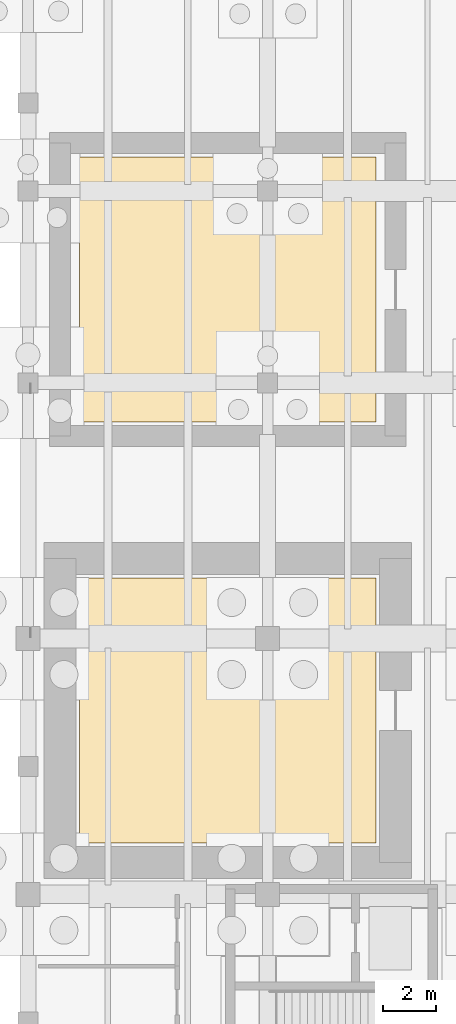
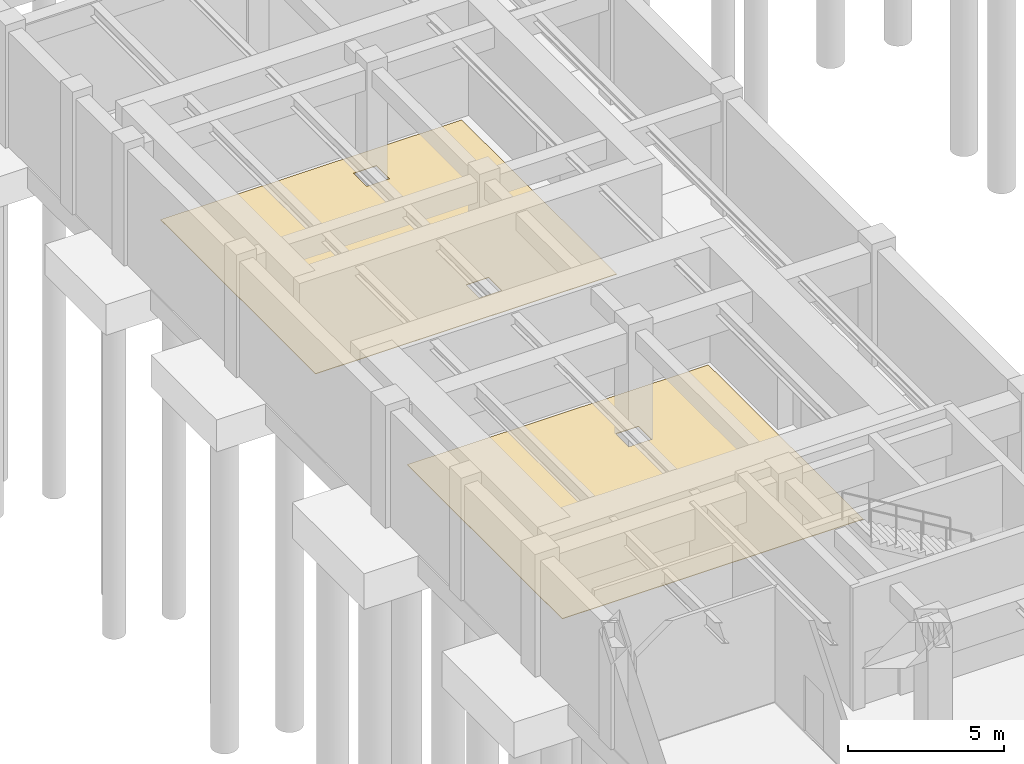
# One storey, part 54 of 59: 2 coverings.
"""IFC4 building model written with IfcOpenShell, lengths in metres."""

from ifc_helpers import new_model, si_unit, direction, frame, origin, place, context, subcontext, project, spatial, polyline, outline, extrude, material, layer, layer_set, type_object, element, save


model = new_model("IFC4")

# Units and contexts
model_context = context("Model", 3, precision=1e-05, world=origin(), true_north=direction((0.0, 1.0)))
body_context = subcontext(model_context, "Body", "Model", "MODEL_VIEW")
ifc_project = project(units=[si_unit("LENGTHUNIT", "METRE"), si_unit("AREAUNIT", "SQUARE_METRE"), si_unit("VOLUMEUNIT", "CUBIC_METRE"), si_unit("PLANEANGLEUNIT", "RADIAN"), si_unit("MASSUNIT", "GRAM", prefix="KILO")], contexts=[model_context])

# Site, building, storey
site_placement = place(None, origin())
site = spatial("IfcSite", under=ifc_project, at=site_placement, CompositionType="ELEMENT")
building_placement = place(site_placement, origin())
building = spatial("IfcBuilding", under=site, at=building_placement, Name="Montealbar Specialist Clinic", CompositionType="ELEMENT")
storey_placement = place(building_placement, frame((0.0, 0.0, -4.800048828125)))
storey = spatial("IfcBuildingStorey", under=building, at=storey_placement, Name="B01", CompositionType="ELEMENT", Elevation=-4.800048828125)

# Coverings
ifc_material = material(Name="Antimicrobial clinical linoleum", Category="wood")
ifc_layer = layer(ifc_material, 0.02001953125, Name="Antimicrobial clinical linoleum", Category="wood")
ifc_layer_set = layer_set([ifc_layer], Name="Antimicrobial clinical linoleum")
covering_type = type_object("IfcCoveringType", Name="COV-FLR-LINOLEUM", PredefinedType="FLOORING", material=ifc_layer_set)
covering_1_placement = place(storey_placement, origin())
element("IfcCovering", 1, at=covering_1_placement, inside=storey, type_object=covering_type, Name="Clinical Flooring Radiotherapy LINAC Treatment Bunker 01", PredefinedType="FLOORING", context=body_context, shape_type="SweptSolid", body=[
    extrude(outline(polyline([(13.070068359375, 73.669921875), (13.070068359375, 63.72998046875), (1.929931640625, 63.72998046875), (1.929931640625, 73.669921875), (13.070068359375, 73.669921875)]), holes=[polyline([(9.419921875, 71.820068359375), (8.580078125, 71.820068359375), (8.580078125, 70.97998046875), (9.419921875, 70.97998046875), (9.419921875, 71.820068359375)])]), origin(), (0.0, 0.0, 1.0), 0.02001953125),
])
covering_2_placement = place(storey_placement, origin())
element("IfcCovering", 2, at=covering_2_placement, inside=storey, type_object=covering_type, Name="Clinical Flooring PET-CT Molecular Imaging Suite 01", PredefinedType="FLOORING", context=body_context, shape_type="SweptSolid", body=[
    extrude(outline(polyline([(13.070068359375, 89.469970703125), (13.070068359375, 79.530029296875), (1.929931640625, 79.530029296875), (1.929931640625, 89.469970703125), (13.070068359375, 89.469970703125)]), holes=[polyline([(9.419921875, 81.419921875), (8.580078125, 81.419921875), (8.580078125, 80.580078125), (9.419921875, 80.580078125), (9.419921875, 81.419921875)]), polyline([(8.580078125, 88.6201171875), (8.580078125, 87.780029296875), (9.419921875, 87.780029296875), (9.419921875, 88.6201171875), (8.580078125, 88.6201171875)])]), origin(), (0.0, 0.0, 1.0), 0.02001953125),
])

save(model, "model.ifc")
